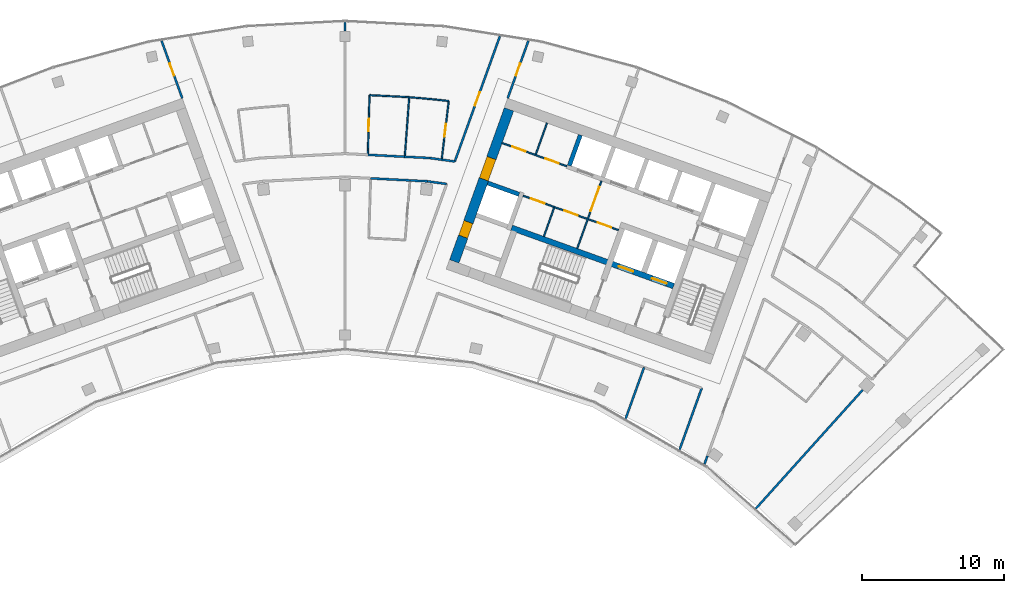
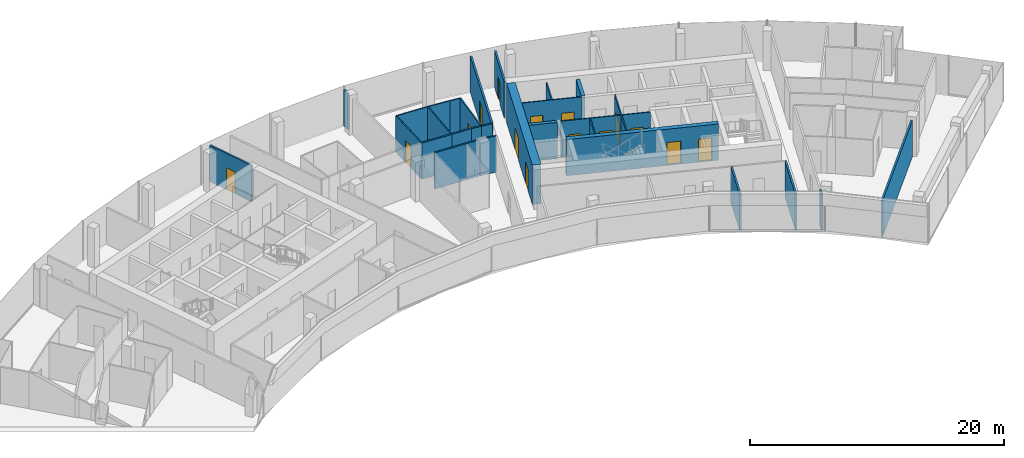
# One storey, part 15 of 18: 30 walls, 15 doors, 15 openings.
"""IFC4 building model written with IfcOpenShell, lengths in metres."""

from ifc_helpers import new_model, si_unit, direction, frame, frame_2d, origin, place, context, subcontext, project, spatial, rectangle, extrude, material, layer, layer_set, type_object, element, fill, save


model = new_model("IFC4")

# Units and contexts
model_context = context("Model", 3, precision=1e-05, world=origin(), true_north=direction((0.0, 1.0)))
body_context = subcontext(model_context, "Body", "Model", "MODEL_VIEW")
ifc_project = project(units=[si_unit("LENGTHUNIT", "METRE"), si_unit("AREAUNIT", "SQUARE_METRE"), si_unit("VOLUMEUNIT", "CUBIC_METRE"), si_unit("PLANEANGLEUNIT", "RADIAN"), si_unit("MASSUNIT", "GRAM", prefix="KILO")], contexts=[model_context])

# Site, building, storey
site_placement = place(None, origin())
site = spatial("IfcSite", under=ifc_project, at=site_placement, CompositionType="ELEMENT")
building_placement = place(site_placement, origin())
building = spatial("IfcBuilding", under=site, at=building_placement, Name="Stone Belt Terrace Tower", CompositionType="ELEMENT")
storey_placement = place(building_placement, frame((0.0, 0.0, 277.0)))
storey = spatial("IfcBuildingStorey", under=building, at=storey_placement, Name="L67", CompositionType="ELEMENT", Elevation=277.0)

# Wall, openings, doors
ifc_material_1 = material(Name="Plasterboard partition")
ifc_layer_1 = layer(ifc_material_1, 0.10009765625)
ifc_layer_set_1 = layer_set([ifc_layer_1], Name="Core partition 100")
wall_type_1 = type_object("IfcWallType", Name="Core partition 100", PredefinedType="PARTITIONING", material=ifc_layer_set_1)
wall_1_placement = place(storey_placement, frame((19.29052734375, 51.829833984375, 0.0), z_axis=(0.0, 0.0, 1.0), x_axis=(-0.94092179465, 0.338623945331, 0.0)))
wall_1 = element("IfcWall", 1, at=wall_1_placement, inside=storey, type_object=wall_type_1, Name="Core B wall", PredefinedType="PARTITIONING", context=body_context, shape_type="SweptSolid", body=[
    extrude(rectangle(XDim=7.14990234375, YDim=0.10009765625, at=frame_2d((3.574951171875, 0.0))), origin(), (0.0, 0.0, 1.0), 3.47998046875),
])
opening_1_placement = place(wall_1_placement, frame((0.550048828125, 0.0, 0.0)))
opening_1 = element("IfcOpeningElement", 2, at=opening_1_placement, cuts=wall_1, Name="Opening L67-C19", PredefinedType="OPENING", context=body_context, shape_type="SweptSolid", body=[
    extrude(rectangle(XDim=1.0, YDim=2.10009765625, at=frame_2d((0.5, 1.050048828125))), frame((0.0, 0.06005859375, 0.0), z_axis=(0.0, -1.0, 0.0), x_axis=(1.0, 0.0, 0.0)), (0.0, 0.0, 1.0), 0.1201171875),
])
opening_2_placement = place(wall_1_placement, frame((3.050048828125, 0.0, 0.0)))
opening_2 = element("IfcOpeningElement", 3, at=opening_2_placement, cuts=wall_1, Name="Opening L67-C20", PredefinedType="OPENING", context=body_context, shape_type="SweptSolid", body=[
    extrude(rectangle(XDim=1.0, YDim=2.10009765625, at=frame_2d((0.5, 1.050048828125))), frame((0.0, 0.06005859375, 0.0), z_axis=(0.0, -1.0, 0.0), x_axis=(1.0, 0.0, 0.0)), (0.0, 0.0, 1.0), 0.1201171875),
])
opening_3_placement = place(wall_1_placement, frame((5.550048828125, 0.0, 0.0)))
opening_3 = element("IfcOpeningElement", 4, at=opening_3_placement, cuts=wall_1, Name="Opening L67-C21", PredefinedType="OPENING", context=body_context, shape_type="SweptSolid", body=[
    extrude(rectangle(XDim=1.0, YDim=2.10009765625, at=frame_2d((0.5, 1.050048828125))), frame((0.0, 0.06005859375, 0.0), z_axis=(0.0, -1.0, 0.0), x_axis=(1.0, 0.0, 0.0)), (0.0, 0.0, 1.0), 0.1201171875),
])
ifc_material_2 = material(Name="Timber door leaf", Category="wood")
door_type_1 = type_object("IfcDoorType", Name="Core room door 1000", OperationType="SINGLE_SWING_LEFT", PredefinedType="DOOR", material=ifc_material_2)
door_1_placement = place(opening_1_placement, origin())
door_1 = element("IfcDoor", 5, at=door_1_placement, inside=storey, type_object=door_type_1, Name="Door to Electrical room core B", OperationType="SINGLE_SWING_LEFT", OverallHeight=2.10009765625, OverallWidth=1.0, PredefinedType="DOOR", context=body_context, shape_type="SweptSolid", body=[
    extrude(rectangle(XDim=1.0, YDim=2.10009765625, at=frame_2d((0.5, 1.050048828125))), frame((0.0, 0.02490234375, 0.0), z_axis=(0.0, -1.0, 0.0), x_axis=(1.0, 0.0, 0.0)), (0.0, 0.0, 1.0), 0.050048828125),
])
fill(opening_1, door_1)
door_2_placement = place(opening_2_placement, origin())
door_2 = element("IfcDoor", 6, at=door_2_placement, inside=storey, type_object=door_type_1, Name="Door to Ventilation plant room core B", OperationType="SINGLE_SWING_RIGHT", OverallHeight=2.10009765625, OverallWidth=1.0, PredefinedType="DOOR", context=body_context, shape_type="SweptSolid", body=[
    extrude(rectangle(XDim=1.0, YDim=2.10009765625, at=frame_2d((0.5, 1.050048828125))), frame((0.0, 0.02490234375, 0.0), z_axis=(0.0, -1.0, 0.0), x_axis=(1.0, 0.0, 0.0)), (0.0, 0.0, 1.0), 0.050048828125),
])
fill(opening_2, door_2)
door_3_placement = place(opening_3_placement, origin())
door_3 = element("IfcDoor", 7, at=door_3_placement, inside=storey, type_object=door_type_1, Name="Door to Services store core B", OperationType="SINGLE_SWING_LEFT", OverallHeight=2.10009765625, OverallWidth=1.0, PredefinedType="DOOR", context=body_context, shape_type="SweptSolid", body=[
    extrude(rectangle(XDim=1.0, YDim=2.10009765625, at=frame_2d((0.5, 1.050048828125))), frame((0.0, 0.02490234375, 0.0), z_axis=(0.0, -1.0, 0.0), x_axis=(1.0, 0.0, 0.0)), (0.0, 0.0, 1.0), 0.050048828125),
])
fill(opening_3, door_3)

# Wall, opening, door
wall_2_placement = place(storey_placement, frame((16.38134765625, 50.53857421875, 0.0), z_axis=(0.0, 0.0, 1.0), x_axis=(0.33860476744, 0.940928696271, 0.0)))
wall_2 = element("IfcWall", 8, at=wall_2_placement, inside=storey, type_object=wall_type_1, Name="Core B wall", PredefinedType="PARTITIONING", context=body_context, shape_type="SweptSolid", body=[
    extrude(rectangle(XDim=5.050048828125, YDim=0.10009765625, at=frame_2d((2.52490234375, 0.0))), origin(), (0.0, 0.0, 1.0), 3.47998046875),
])
opening_4_placement = place(wall_2_placement, frame((2.800048828125, 0.0, 0.0)))
opening_4 = element("IfcOpeningElement", 9, at=opening_4_placement, cuts=wall_2, Name="Opening L67-C24", PredefinedType="OPENING", context=body_context, shape_type="SweptSolid", body=[
    extrude(rectangle(XDim=1.800048828125, YDim=2.10009765625, at=frame_2d((0.89990234375, 1.050048828125))), frame((0.0, 0.06005859375, 0.0), z_axis=(0.0, -1.0, 0.0), x_axis=(1.0, 0.0, 0.0)), (0.0, 0.0, 1.0), 0.1201171875),
])
ifc_material_3 = material(Name="Glazed aluminium door leaf", Category="aluminium")
door_type_2 = type_object("IfcDoorType", Name="Lift lobby entrance door 1800", OperationType="DOUBLE_DOOR_SINGLE_SWING", PredefinedType="DOOR", material=ifc_material_3)
door_4_placement = place(opening_4_placement, origin())
door_4 = element("IfcDoor", 10, at=door_4_placement, inside=storey, type_object=door_type_2, Name="Lift lobby double door core B", OperationType="DOUBLE_DOOR_SINGLE_SWING", OverallHeight=2.10009765625, OverallWidth=1.800048828125, PredefinedType="DOOR", context=body_context, shape_type="SweptSolid", body=[
    extrude(rectangle(XDim=1.800048828125, YDim=2.10009765625, at=frame_2d((0.89990234375, 1.050048828125))), frame((0.0, 0.02490234375, 0.0), z_axis=(0.0, -1.0, 0.0), x_axis=(1.0, 0.0, 0.0)), (0.0, 0.0, 1.0), 0.050048828125),
])
fill(opening_4, door_4)

# Wall
wall_3_placement = place(storey_placement, frame((14.029052734375, 51.38525390625, 0.0), z_axis=(0.0, 0.0, 1.0), x_axis=(0.338622960269, 0.940922149159, 0.0)))
element("IfcWall", 11, at=wall_3_placement, inside=storey, type_object=wall_type_1, Name="Core B wall", PredefinedType="PARTITIONING", context=body_context, shape_type="SweptSolid", body=[
    extrude(rectangle(XDim=2.14990234375, YDim=0.10009765625, at=frame_2d((1.074951171875, 0.0))), origin(), (0.0, 0.0, 1.0), 3.47998046875),
])

# Wall, openings, doors
wall_4_placement = place(storey_placement, frame((15.648681640625, 56.32861328125, 0.0), z_axis=(0.0, 0.0, 1.0), x_axis=(-0.940905377977, 0.338669558262, 0.0)))
wall_4 = element("IfcWall", 12, at=wall_4_placement, inside=storey, type_object=wall_type_1, Name="Core B wall", PredefinedType="PARTITIONING", context=body_context, shape_type="SweptSolid", body=[
    extrude(rectangle(XDim=4.85009765625, YDim=0.10009765625, at=frame_2d((2.425048828125, 0.0))), origin(), (0.0, 0.0, 1.0), 3.47998046875),
])
opening_5_placement = place(wall_4_placement, frame((0.60009765625, 0.0, 0.0)))
opening_5 = element("IfcOpeningElement", 13, at=opening_5_placement, cuts=wall_4, Name="Opening L67-C17", PredefinedType="OPENING", context=body_context, shape_type="SweptSolid", body=[
    extrude(rectangle(XDim=1.0, YDim=2.10009765625, at=frame_2d((0.5, 1.050048828125))), frame((0.0, 0.06005859375, 0.0), z_axis=(0.0, -1.0, 0.0), x_axis=(1.0, 0.0, 0.0)), (0.0, 0.0, 1.0), 0.1201171875),
])
opening_6_placement = place(wall_4_placement, frame((3.10009765625, 0.0, 0.0)))
opening_6 = element("IfcOpeningElement", 14, at=opening_6_placement, cuts=wall_4, Name="Opening L67-C18", PredefinedType="OPENING", context=body_context, shape_type="SweptSolid", body=[
    extrude(rectangle(XDim=1.0, YDim=2.10009765625, at=frame_2d((0.5, 1.050048828125))), frame((0.0, 0.06005859375, 0.0), z_axis=(0.0, -1.0, 0.0), x_axis=(1.0, 0.0, 0.0)), (0.0, 0.0, 1.0), 0.1201171875),
])
door_5_placement = place(opening_5_placement, origin())
door_5 = element("IfcDoor", 15, at=door_5_placement, inside=storey, type_object=door_type_1, Name="Door to Server room core B", OperationType="SINGLE_SWING_LEFT", OverallHeight=2.10009765625, OverallWidth=1.0, PredefinedType="DOOR", context=body_context, shape_type="SweptSolid", body=[
    extrude(rectangle(XDim=1.0, YDim=2.10009765625, at=frame_2d((0.5, 1.050048828125))), frame((0.0, 0.02490234375, 0.0), z_axis=(0.0, -1.0, 0.0), x_axis=(1.0, 0.0, 0.0)), (0.0, 0.0, 1.0), 0.050048828125),
])
fill(opening_5, door_5)
door_6_placement = place(opening_6_placement, origin())
door_6 = element("IfcDoor", 16, at=door_6_placement, inside=storey, type_object=door_type_1, Name="Door to Plant room core B", OperationType="SINGLE_SWING_RIGHT", OverallHeight=2.10009765625, OverallWidth=1.0, PredefinedType="DOOR", context=body_context, shape_type="SweptSolid", body=[
    extrude(rectangle(XDim=1.0, YDim=2.10009765625, at=frame_2d((0.5, 1.050048828125))), frame((0.0, 0.02490234375, 0.0), z_axis=(0.0, -1.0, 0.0), x_axis=(1.0, 0.0, 0.0)), (0.0, 0.0, 1.0), 0.050048828125),
])
fill(opening_6, door_6)

# Wall
wall_5_placement = place(storey_placement, frame((13.45458984375, 57.171630859375, 0.0), z_axis=(0.0, 0.0, 1.0), x_axis=(0.338579668317, 0.940937728121, 0.0)))
element("IfcWall", 17, at=wall_5_placement, inside=storey, type_object=wall_type_1, Name="Core B wall", PredefinedType="PARTITIONING", context=body_context, shape_type="SweptSolid", body=[
    extrude(rectangle(XDim=2.35009765625, YDim=0.10009765625, at=frame_2d((1.175048828125, 0.0))), origin(), (0.0, 0.0, 1.0), 3.47998046875),
])

# Wall, openings, doors
ifc_material_4 = material(Name="Concrete B60", Category="concrete")
ifc_layer_2 = layer(ifc_material_4, 0.699951171875)
ifc_layer_set_2 = layer_set([ifc_layer_2], Name="Core wall 700 B60")
wall_type_2 = type_object("IfcWallType", Name="Core wall 700 B60", PredefinedType="SHEAR", material=ifc_layer_set_2)
wall_6_placement = place(storey_placement, frame((7.70849609375, 49.621337890625, 0.0), z_axis=(0.0, 0.0, 1.0), x_axis=(0.338606471282, 0.940928083121, 0.0)))
wall_6 = element("IfcWall", 18, at=wall_6_placement, inside=storey, type_object=wall_type_2, Name="Core B wall end_a L67", PredefinedType="SHEAR", context=body_context, shape_type="SweptSolid", body=[
    extrude(rectangle(XDim=11.39990234375, YDim=0.699951171875, at=frame_2d((5.699951171875, 0.0))), origin(), (0.0, 0.0, 1.0), 3.800048828125),
])
opening_7_placement = place(wall_6_placement, frame((6.14990234375, 0.0, 0.0)))
opening_7 = element("IfcOpeningElement", 19, at=opening_7_placement, cuts=wall_6, Name="Opening L67-C25", PredefinedType="OPENING", context=body_context, shape_type="SweptSolid", body=[
    extrude(rectangle(XDim=1.60009765625, YDim=2.10009765625, at=frame_2d((0.800048828125, 1.050048828125))), frame((0.0, 0.35986328125, 0.0), z_axis=(0.0, -1.0, 0.0), x_axis=(1.0, 0.0, 0.0)), (0.0, 0.0, 1.0), 0.719970703125),
])
opening_8_placement = place(wall_6_placement, frame((1.85009765625, 0.0, 0.0)))
opening_8 = element("IfcOpeningElement", 20, at=opening_8_placement, cuts=wall_6, Name="Opening L67-C31", PredefinedType="OPENING", context=body_context, shape_type="SweptSolid", body=[
    extrude(rectangle(XDim=1.10009765625, YDim=2.10009765625, at=frame_2d((0.550048828125, 1.050048828125))), frame((0.0, 0.35986328125, 0.0), z_axis=(0.0, -1.0, 0.0), x_axis=(1.0, 0.0, 0.0)), (0.0, 0.0, 1.0), 0.719970703125),
])
door_type_3 = type_object("IfcDoorType", Name="Core room door 1100", OperationType="SINGLE_SWING_LEFT", PredefinedType="DOOR", material=ifc_material_2)
door_7_placement = place(opening_8_placement, origin())
door_7 = element("IfcDoor", 21, at=door_7_placement, inside=storey, type_object=door_type_3, Name="Door to Accessible WC core B", OperationType="SINGLE_SWING_RIGHT", OverallHeight=2.10009765625, OverallWidth=1.10009765625, PredefinedType="DOOR", context=body_context, shape_type="SweptSolid", body=[
    extrude(rectangle(XDim=1.10009765625, YDim=2.10009765625, at=frame_2d((0.550048828125, 1.050048828125))), frame((0.0, 0.330078125, 0.0), z_axis=(0.0, -1.0, 0.0), x_axis=(1.0, 0.0, 0.0)), (0.0, 0.0, 1.0), 0.659912109375),
])
fill(opening_8, door_7)
door_type_4 = type_object("IfcDoorType", Name="Lift lobby entrance door 1600", OperationType="DOUBLE_DOOR_SINGLE_SWING", PredefinedType="DOOR", material=ifc_material_3)
door_8_placement = place(opening_7_placement, origin())
door_8 = element("IfcDoor", 22, at=door_8_placement, inside=storey, type_object=door_type_4, Name="Lift lobby entrance door core B", OperationType="DOUBLE_DOOR_SINGLE_SWING", OverallHeight=2.10009765625, OverallWidth=1.60009765625, PredefinedType="DOOR", context=body_context, shape_type="SweptSolid", body=[
    extrude(rectangle(XDim=1.60009765625, YDim=2.10009765625, at=frame_2d((0.800048828125, 1.050048828125))), frame((0.0, 0.330078125, 0.0), z_axis=(0.0, -1.0, 0.0), x_axis=(1.0, 0.0, 0.0)), (0.0, 0.0, 1.0), 0.659912109375),
])
fill(opening_7, door_8)

# Walls
ifc_material_5 = material(Name="Concrete B80", Category="concrete")
ifc_layer_3 = layer(ifc_material_5, 0.300048828125)
ifc_layer_set_3 = layer_set([ifc_layer_3], Name="Lift shaft wall 300")
wall_type_3 = type_object("IfcWallType", Name="Lift shaft wall 300", PredefinedType="SHEAR", material=ifc_layer_set_3)
wall_7_placement = place(storey_placement, frame((15.82373046875, 56.3720703125, 0.0), z_axis=(0.0, 0.0, 1.0), x_axis=(0.338621735342, 0.94092258999, 0.0)))
element("IfcWall", 23, at=wall_7_placement, inside=storey, type_object=wall_type_3, Name="Core B wall", PredefinedType="SHEAR", context=body_context, shape_type="SweptSolid", body=[
    extrude(rectangle(XDim=2.300048828125, YDim=0.300048828125, at=frame_2d((1.14990234375, 0.0))), origin(), (0.0, 0.0, 1.0), 3.47998046875),
])
wall_8_placement = place(storey_placement, frame((12.280517578125, 54.3525390625, 0.0), z_axis=(0.0, 0.0, 1.0), x_axis=(-0.940925816745, 0.338612769078, 0.0)))
element("IfcWall", 24, at=wall_8_placement, inside=storey, type_object=wall_type_3, Name="Core B wall", PredefinedType="SHEAR", context=body_context, shape_type="SweptSolid", body=[
    extrude(rectangle(XDim=2.349853515625, YDim=0.300048828125, at=frame_2d((1.1748046875, 0.0))), origin(), (0.0, 0.0, 1.0), 3.47998046875),
])
ifc_material_6 = material(Name="Gypsum board partition")
ifc_layer_4 = layer(ifc_material_6, 0.10009765625)
ifc_layer_set_4 = layer_set([ifc_layer_4], Name="PARTITION 100")
wall_type_4 = type_object("IfcWallType", Name="PARTITION 100", PredefinedType="PARTITIONING", material=ifc_layer_set_4)
wall_9_placement = place(storey_placement, frame((4.530029296875, 61.2060546875, 0.0), z_axis=(0.0, 0.0, 1.0), x_axis=(-0.998696331393, 0.05104544703, 0.0)))
element("IfcWall", 25, at=wall_9_placement, inside=storey, type_object=wall_type_4, Name="L67/wall/i112", PredefinedType="PARTITIONING", context=body_context, shape_type="SweptSolid", body=[
    extrude(rectangle(XDim=2.802734375, YDim=0.10009765625, at=frame_2d((1.4013671875, 0.0))), origin(), (0.0, 0.0, 1.0), 3.47998046875),
])

# Wall, opening, door
wall_10_placement = place(storey_placement, frame((1.73095703125, 61.34912109375, 0.0), z_axis=(0.0, 0.0, 1.0), x_axis=(-0.028011746804, -0.999607594029, 0.0)))
wall_10 = element("IfcWall", 26, at=wall_10_placement, inside=storey, type_object=wall_type_4, Name="L67/wall/i113", PredefinedType="PARTITIONING", context=body_context, shape_type="SweptSolid", body=[
    extrude(rectangle(XDim=4.209716796875, YDim=0.10009765625, at=frame_2d((2.10498046875, 0.0))), origin(), (0.0, 0.0, 1.0), 3.47998046875),
])
opening_9_placement = place(wall_10_placement, frame((1.65478515625, 0.0, 0.0)))
opening_9 = element("IfcOpeningElement", 27, at=opening_9_placement, cuts=wall_10, Name="Opening D-E2-32", PredefinedType="OPENING", context=body_context, shape_type="SweptSolid", body=[
    extrude(rectangle(XDim=0.89990234375, YDim=2.10009765625, at=frame_2d((0.449951171875, 1.050048828125))), frame((0.0, 0.06005859375, 0.0), z_axis=(0.0, -1.0, 0.0), x_axis=(1.0, 0.0, 0.0)), (0.0, 0.0, 1.0), 0.1201171875),
])
door_type_5 = type_object("IfcDoorType", Name="OFFICE DOOR 900 X 2100", OperationType="NOTDEFINED", PredefinedType="DOOR", material=ifc_material_2)
door_9_placement = place(opening_9_placement, origin())
door_9 = element("IfcDoor", 28, at=door_9_placement, inside=storey, type_object=door_type_5, Name="L67/door/i32", OperationType="SINGLE_SWING_RIGHT", OverallHeight=2.10009765625, OverallWidth=0.89990234375, PredefinedType="DOOR", context=body_context, shape_type="SweptSolid", body=[
    extrude(rectangle(XDim=0.89990234375, YDim=2.10009765625, at=frame_2d((0.449951171875, 1.050048828125))), frame((0.0, 0.02490234375, 0.0), z_axis=(0.0, -1.0, 0.0), x_axis=(1.0, 0.0, 0.0)), (0.0, 0.0, 1.0), 0.050048828125),
])
fill(opening_9, door_9)

wall_11_placement = place(storey_placement, frame((6.822021484375, 56.797119140625, 0.0), z_axis=(0.0, 0.0, 1.0), x_axis=(0.119267645101, 0.992862139893, 0.0)))
wall_11 = element("IfcWall", 29, at=wall_11_placement, inside=storey, type_object=wall_type_4, Name="L67/wall/i114", PredefinedType="PARTITIONING", context=body_context, shape_type="SweptSolid", body=[
    extrude(rectangle(XDim=4.167724609375, YDim=0.10009765625, at=frame_2d((2.083984375, 0.0))), origin(), (0.0, 0.0, 1.0), 3.47998046875),
])
opening_10_placement = place(wall_11_placement, frame((1.6337890625, 0.0, 0.0)))
opening_10 = element("IfcOpeningElement", 30, at=opening_10_placement, cuts=wall_11, Name="Opening D-E2-33", PredefinedType="OPENING", context=body_context, shape_type="SweptSolid", body=[
    extrude(rectangle(XDim=0.89990234375, YDim=2.10009765625, at=frame_2d((0.449951171875, 1.050048828125))), frame((0.0, 0.06005859375, 0.0), z_axis=(0.0, -1.0, 0.0), x_axis=(1.0, 0.0, 0.0)), (0.0, 0.0, 1.0), 0.1201171875),
])
door_10_placement = place(opening_10_placement, origin())
door_10 = element("IfcDoor", 31, at=door_10_placement, inside=storey, type_object=door_type_5, Name="L67/door/i33", OperationType="SINGLE_SWING_RIGHT", OverallHeight=2.10009765625, OverallWidth=0.89990234375, PredefinedType="DOOR", context=body_context, shape_type="SweptSolid", body=[
    extrude(rectangle(XDim=0.89990234375, YDim=2.10009765625, at=frame_2d((0.449951171875, 1.050048828125))), frame((0.0, 0.02490234375, 0.0), z_axis=(0.0, -1.0, 0.0), x_axis=(1.0, 0.0, 0.0)), (0.0, 0.0, 1.0), 0.050048828125),
])
fill(opening_10, door_10)

# Walls
wall_12_placement = place(storey_placement, frame((7.319091796875, 60.93505859375, 0.0), z_axis=(0.0, 0.0, 1.0), x_axis=(-0.993689136585, 0.112169068078, 0.0)))
element("IfcWall", 32, at=wall_12_placement, inside=storey, type_object=wall_type_4, Name="L67/wall/i115", PredefinedType="PARTITIONING", context=body_context, shape_type="SweptSolid", body=[
    extrude(rectangle(XDim=0.909912109375, YDim=0.10009765625, at=frame_2d((0.455078125, 0.0))), origin(), (0.0, 0.0, 1.0), 3.47998046875),
])
wall_13_placement = place(storey_placement, frame((6.4150390625, 61.037109375, 0.0), z_axis=(0.0, 0.0, 1.0), x_axis=(-0.996007653446, 0.089267879314, 0.0)))
element("IfcWall", 33, at=wall_13_placement, inside=storey, type_object=wall_type_4, Name="L67/wall/i116", PredefinedType="PARTITIONING", context=body_context, shape_type="SweptSolid", body=[
    extrude(rectangle(XDim=1.892578125, YDim=0.10009765625, at=frame_2d((0.9462890625, 0.0))), origin(), (0.0, 0.0, 1.0), 3.47998046875),
])
wall_14_placement = place(storey_placement, frame((4.530029296875, 61.2060546875, 0.0), z_axis=(0.0, 0.0, 1.0), x_axis=(-0.073816195319, -0.997271863289, 0.0)))
element("IfcWall", 34, at=wall_14_placement, inside=storey, type_object=wall_type_4, Name="L67/wall/i117", PredefinedType="PARTITIONING", context=body_context, shape_type="SweptSolid", body=[
    extrude(rectangle(XDim=4.213623046875, YDim=0.10009765625, at=frame_2d((2.10693359375, 0.0))), origin(), (0.0, 0.0, 1.0), 3.47998046875),
])

# Wall, opening, door
ifc_layer_5 = layer(ifc_material_6, 0.14990234375)
ifc_layer_set_5 = layer_set([ifc_layer_5], Name="PARTITION 150 EI 60")
wall_type_5 = type_object("IfcWallType", Name="PARTITION 150 EI 60", PredefinedType="PARTITIONING", material=ifc_layer_set_5)
wall_15_placement = place(storey_placement, frame((-11.47607421875, 61.125, 0.0), z_axis=(0.0, 0.0, 1.0), x_axis=(-0.338707450319, 0.940891738245, 0.0)))
wall_15 = element("IfcWall", 35, at=wall_15_placement, inside=storey, type_object=wall_type_5, Name="L67/wall/i008", PredefinedType="PARTITIONING", context=body_context, shape_type="SweptSolid", body=[
    extrude(rectangle(XDim=4.316162109375, YDim=0.14990234375, at=frame_2d((2.158203125, 0.0))), origin(), (0.0, 0.0, 1.0), 3.47998046875),
])
opening_11_placement = place(wall_15_placement, frame((1.7080078125, 0.0, 0.0)))
opening_11 = element("IfcOpeningElement", 36, at=opening_11_placement, cuts=wall_15, Name="Opening D-E2-05", PredefinedType="OPENING", context=body_context, shape_type="SweptSolid", body=[
    extrude(rectangle(XDim=0.89990234375, YDim=2.10009765625, at=frame_2d((0.449951171875, 1.050048828125))), frame((0.0, 0.0849609375, 0.0), z_axis=(0.0, -1.0, 0.0), x_axis=(1.0, 0.0, 0.0)), (0.0, 0.0, 1.0), 0.169921875),
])
door_11_placement = place(opening_11_placement, origin())
door_11 = element("IfcDoor", 37, at=door_11_placement, inside=storey, type_object=door_type_5, Name="L67/door/i05", OperationType="SINGLE_SWING_RIGHT", OverallHeight=2.10009765625, OverallWidth=0.89990234375, PredefinedType="DOOR", context=body_context, shape_type="SweptSolid", body=[
    extrude(rectangle(XDim=0.89990234375, YDim=2.10009765625, at=frame_2d((0.449951171875, 1.050048828125))), frame((0.0, 0.02490234375, 0.0), z_axis=(0.0, -1.0, 0.0), x_axis=(1.0, 0.0, 0.0)), (0.0, 0.0, 1.0), 0.050048828125),
])
fill(opening_11, door_11)

wall_16_placement = place(storey_placement, frame((12.93798828125, 65.18603515625, 0.0), z_axis=(0.0, 0.0, 1.0), x_axis=(-0.338707450319, -0.940891738245, 0.0)))
wall_16 = element("IfcWall", 38, at=wall_16_placement, inside=storey, type_object=wall_type_5, Name="L67/wall/i019", PredefinedType="PARTITIONING", context=body_context, shape_type="SweptSolid", body=[
    extrude(rectangle(XDim=4.316162109375, YDim=0.14990234375, at=frame_2d((2.158203125, 0.0))), origin(), (0.0, 0.0, 1.0), 3.47998046875),
])
opening_12_placement = place(wall_16_placement, frame((1.7080078125, 0.0, 0.0)))
opening_12 = element("IfcOpeningElement", 39, at=opening_12_placement, cuts=wall_16, Name="Opening D-E2-09", PredefinedType="OPENING", context=body_context, shape_type="SweptSolid", body=[
    extrude(rectangle(XDim=0.89990234375, YDim=2.10009765625, at=frame_2d((0.449951171875, 1.050048828125))), frame((0.0, 0.0849609375, 0.0), z_axis=(0.0, -1.0, 0.0), x_axis=(1.0, 0.0, 0.0)), (0.0, 0.0, 1.0), 0.169921875),
])
door_12_placement = place(opening_12_placement, origin())
door_12 = element("IfcDoor", 40, at=door_12_placement, inside=storey, type_object=door_type_5, Name="L67/door/i09", OperationType="SINGLE_SWING_RIGHT", OverallHeight=2.10009765625, OverallWidth=0.89990234375, PredefinedType="DOOR", context=body_context, shape_type="SweptSolid", body=[
    extrude(rectangle(XDim=0.89990234375, YDim=2.10009765625, at=frame_2d((0.449951171875, 1.050048828125))), frame((0.0, 0.02490234375, 0.0), z_axis=(0.0, -1.0, 0.0), x_axis=(1.0, 0.0, 0.0)), (0.0, 0.0, 1.0), 0.050048828125),
])
fill(opening_12, door_12)

wall_17_placement = place(storey_placement, frame((7.7451171875, 56.6640625, 0.0), z_axis=(0.0, 0.0, 1.0), x_axis=(0.338644933311, 0.94091424112, 0.0)))
wall_17 = element("IfcWall", 41, at=wall_17_placement, inside=storey, type_object=wall_type_5, Name="L67/wall/i021", PredefinedType="PARTITIONING", context=body_context, shape_type="SweptSolid", body=[
    extrude(rectangle(XDim=9.395263671875, YDim=0.14990234375, at=frame_2d((4.69775390625, 0.0))), origin(), (0.0, 0.0, 1.0), 3.47998046875),
])
opening_13_placement = place(wall_17_placement, frame((4.19775390625, 0.0, 0.0)))
opening_13 = element("IfcOpeningElement", 42, at=opening_13_placement, cuts=wall_17, Name="Opening D-E2-31", PredefinedType="OPENING", context=body_context, shape_type="SweptSolid", body=[
    extrude(rectangle(XDim=1.0, YDim=2.10009765625, at=frame_2d((0.5, 1.050048828125))), frame((0.0, 0.0849609375, 0.0), z_axis=(0.0, -1.0, 0.0), x_axis=(1.0, 0.0, 0.0)), (0.0, 0.0, 1.0), 0.169921875),
])
ifc_material_7 = material(Name="Timber fire door leaf", Category="wood")
door_type_6 = type_object("IfcDoorType", Name="TENANCY ENTRANCE DOOR 1000 X 2100", OperationType="NOTDEFINED", PredefinedType="DOOR", material=ifc_material_7)
door_13_placement = place(opening_13_placement, origin())
door_13 = element("IfcDoor", 43, at=door_13_placement, inside=storey, type_object=door_type_6, Name="L67/door/i31", OperationType="SINGLE_SWING_RIGHT", OverallHeight=2.10009765625, OverallWidth=1.0, PredefinedType="DOOR", context=body_context, shape_type="SweptSolid", body=[
    extrude(rectangle(XDim=1.0, YDim=2.10009765625, at=frame_2d((0.5, 1.050048828125))), frame((0.0, 0.02490234375, 0.0), z_axis=(0.0, -1.0, 0.0), x_axis=(1.0, 0.0, 0.0)), (0.0, 0.0, 1.0), 0.050048828125),
])
fill(opening_13, door_13)

# Walls
wall_18_placement = place(storey_placement, frame((23.5966796875, 36.330810546875, 0.0), z_axis=(0.0, 0.0, 1.0), x_axis=(0.338609342271, 0.94092704995, 0.0)))
element("IfcWall", 44, at=wall_18_placement, inside=storey, type_object=wall_type_5, Name="L67/wall/i022", PredefinedType="PARTITIONING", context=body_context, shape_type="SweptSolid", body=[
    extrude(rectangle(XDim=4.6318359375, YDim=0.14990234375, at=frame_2d((2.31591796875, 0.0))), origin(), (0.0, 0.0, 1.0), 3.47998046875),
])
wall_19_placement = place(storey_placement, frame((25.566162109375, 35.899658203125, 0.0), z_axis=(0.0, 0.0, 1.0), x_axis=(-0.338633814852, -0.940918242696, 0.0)))
element("IfcWall", 45, at=wall_19_placement, inside=storey, type_object=wall_type_5, Name="L67/wall/i025", PredefinedType="PARTITIONING", context=body_context, shape_type="SweptSolid", body=[
    extrude(rectangle(XDim=0.605712890625, YDim=0.14990234375, at=frame_2d((0.302734375, 0.0))), origin(), (0.0, 0.0, 1.0), 3.47998046875),
])
wall_20_placement = place(storey_placement, frame((21.097900390625, 42.14501953125, 0.0), z_axis=(0.0, 0.0, 1.0), x_axis=(-0.338586871173, -0.940935136271, 0.0)))
element("IfcWall", 46, at=wall_20_placement, inside=storey, type_object=wall_type_5, Name="L67/wall/i034", PredefinedType="PARTITIONING", context=body_context, shape_type="SweptSolid", body=[
    extrude(rectangle(XDim=3.846923828125, YDim=0.14990234375, at=frame_2d((1.92333984375, 0.0))), origin(), (0.0, 0.0, 1.0), 3.47998046875),
])
wall_21_placement = place(storey_placement, frame((28.97802734375, 32.182373046875, 0.0), z_axis=(0.0, 0.0, 1.0), x_axis=(0.669127577115, 0.74314755301, 0.0)))
element("IfcWall", 47, at=wall_21_placement, inside=storey, type_object=wall_type_5, Name="L67/wall/i061", PredefinedType="PARTITIONING", context=body_context, shape_type="SweptSolid", body=[
    extrude(rectangle(XDim=11.263671875, YDim=0.14990234375, at=frame_2d((5.6318359375, 0.0))), origin(), (0.0, 0.0, 1.0), 3.47998046875),
])
wall_22_placement = place(storey_placement, frame((7.176025390625, 55.0830078125, 0.0), z_axis=(0.0, 0.0, 1.0), x_axis=(-0.990675556397, 0.136242217972, 0.0)))
element("IfcWall", 48, at=wall_22_placement, inside=storey, type_object=wall_type_5, Name="L67/wall/i089", PredefinedType="PARTITIONING", context=body_context, shape_type="SweptSolid", body=[
    extrude(rectangle(XDim=1.3798828125, YDim=0.14990234375, at=frame_2d((0.68994140625, 0.0))), origin(), (0.0, 0.0, 1.0), 3.47998046875),
])
wall_23_placement = place(storey_placement, frame((5.80908203125, 55.27099609375, 0.0), z_axis=(0.0, 0.0, 1.0), x_axis=(-0.998648347827, 0.051975738405, 0.0)))
element("IfcWall", 49, at=wall_23_placement, inside=storey, type_object=wall_type_5, Name="L67/wall/i090", PredefinedType="PARTITIONING", context=body_context, shape_type="SweptSolid", body=[
    extrude(rectangle(XDim=1.230712890625, YDim=0.14990234375, at=frame_2d((0.615234375, 0.0))), origin(), (0.0, 0.0, 1.0), 3.47998046875),
])
wall_24_placement = place(storey_placement, frame((4.592041015625, 55.3349609375, 0.0), z_axis=(0.0, 0.0, 1.0), x_axis=(-0.998630847524, 0.052310901088, 0.0)))
element("IfcWall", 50, at=wall_24_placement, inside=storey, type_object=wall_type_5, Name="L67/wall/i091", PredefinedType="PARTITIONING", context=body_context, shape_type="SweptSolid", body=[
    extrude(rectangle(XDim=2.791015625, YDim=0.14990234375, at=frame_2d((1.3955078125, 0.0))), origin(), (0.0, 0.0, 1.0), 3.47998046875),
])
wall_25_placement = place(storey_placement, frame((6.81591796875, 56.798095703125, 0.0), z_axis=(0.0, 0.0, 1.0), x_axis=(0.990658674146, -0.13636491975, 0.0)))
element("IfcWall", 51, at=wall_25_placement, inside=storey, type_object=wall_type_5, Name="L67/wall/i097", PredefinedType="PARTITIONING", context=body_context, shape_type="SweptSolid", body=[
    extrude(rectangle(XDim=0.93994140625, YDim=0.14990234375, at=frame_2d((0.469970703125, 0.0))), origin(), (0.0, 0.0, 1.0), 3.47998046875),
])
wall_26_placement = place(storey_placement, frame((1.60693359375, 57.14111328125, 0.0), z_axis=(0.0, 0.0, 1.0), x_axis=(0.998629637079, -0.052334003734, 0.0)))
element("IfcWall", 52, at=wall_26_placement, inside=storey, type_object=wall_type_5, Name="L67/wall/i098", PredefinedType="PARTITIONING", context=body_context, shape_type="SweptSolid", body=[
    extrude(rectangle(XDim=2.621826171875, YDim=0.14990234375, at=frame_2d((1.31103515625, 0.0))), origin(), (0.0, 0.0, 1.0), 3.47998046875),
])
wall_27_placement = place(storey_placement, frame((4.212890625, 57.0048828125, 0.0), z_axis=(0.0, 0.0, 1.0), x_axis=(0.998627710138, -0.052370760399, 0.0)))
element("IfcWall", 53, at=wall_27_placement, inside=storey, type_object=wall_type_5, Name="L67/wall/i099", PredefinedType="PARTITIONING", context=body_context, shape_type="SweptSolid", body=[
    extrude(rectangle(XDim=1.771484375, YDim=0.14990234375, at=frame_2d((0.8857421875, 0.0))), origin(), (0.0, 0.0, 1.0), 3.47998046875),
])
wall_28_placement = place(storey_placement, frame((5.98193359375, 56.912109375, 0.0), z_axis=(0.0, 0.0, 1.0), x_axis=(0.990695712671, -0.13609557265, 0.0)))
element("IfcWall", 54, at=wall_28_placement, inside=storey, type_object=wall_type_5, Name="L67/wall/i100", PredefinedType="PARTITIONING", context=body_context, shape_type="SweptSolid", body=[
    extrude(rectangle(XDim=0.85400390625, YDim=0.14990234375, at=frame_2d((0.427001953125, 0.0))), origin(), (0.0, 0.0, 1.0), 3.47998046875),
])
wall_29_placement = place(storey_placement, frame((0.0, 66.5, 0.0), z_axis=(0.0, 0.0, 1.0), x_axis=(0.0, -1.0, 0.0)))
element("IfcWall", 55, at=wall_29_placement, inside=storey, type_object=wall_type_5, Name="L67/wall/i110", PredefinedType="PARTITIONING", context=body_context, shape_type="SweptSolid", body=[
    extrude(rectangle(XDim=0.631103515625, YDim=0.14990234375, at=frame_2d((0.3154296875, 0.0))), origin(), (0.0, 0.0, 1.0), 3.47998046875),
])

# Wall, openings, doors
ifc_layer_6 = layer(ifc_material_5, 0.39990234375)
ifc_layer_set_6 = layer_set([ifc_layer_6], Name="Stair enclosure wall 400")
wall_type_6 = type_object("IfcWallType", Name="Stair enclosure wall 400", PredefinedType="SHEAR", material=ifc_layer_set_6)
wall_30_placement = place(storey_placement, frame((23.182373046875, 47.87841796875, 0.0), z_axis=(0.0, 0.0, 1.0), x_axis=(-0.940921731919, 0.338624119641, 0.0)))
wall_30 = element("IfcWall", 56, at=wall_30_placement, inside=storey, type_object=wall_type_6, Name="Core B wall", PredefinedType="SHEAR", context=body_context, shape_type="SweptSolid", body=[
    extrude(rectangle(XDim=12.14990234375, YDim=0.39990234375, at=frame_2d((6.074951171875, 0.0))), origin(), (0.0, 0.0, 1.0), 3.47998046875),
])
opening_14_placement = place(wall_30_placement, frame((0.52001953125, 0.0, 0.0)))
opening_14 = element("IfcOpeningElement", 57, at=opening_14_placement, cuts=wall_30, Name="Opening L67-LD12", PredefinedType="OPENING", context=body_context, shape_type="SweptSolid", body=[
    extrude(rectangle(XDim=1.10009765625, YDim=2.199951171875, at=frame_2d((0.550048828125, 1.10009765625))), frame((0.0, 0.2099609375, 0.0), z_axis=(0.0, -1.0, 0.0), x_axis=(1.0, 0.0, 0.0)), (0.0, 0.0, 1.0), 0.419921875),
])
opening_15_placement = place(wall_30_placement, frame((3.02001953125, 0.0, 0.0)))
opening_15 = element("IfcOpeningElement", 58, at=opening_15_placement, cuts=wall_30, Name="Opening L67-LD13", PredefinedType="OPENING", context=body_context, shape_type="SweptSolid", body=[
    extrude(rectangle(XDim=1.10009765625, YDim=2.199951171875, at=frame_2d((0.550048828125, 1.10009765625))), frame((0.0, 0.2099609375, 0.0), z_axis=(0.0, -1.0, 0.0), x_axis=(1.0, 0.0, 0.0)), (0.0, 0.0, 1.0), 0.419921875),
])
ifc_material_8 = material(Name="Stainless steel door leaf", Category="steel")
door_type_7 = type_object("IfcDoorType", Name="Landing door 1100", OperationType="SLIDING_TO_LEFT", PredefinedType="DOOR", material=ifc_material_8)
door_14_placement = place(opening_14_placement, origin())
door_14 = element("IfcDoor", 59, at=door_14_placement, inside=storey, type_object=door_type_7, Name="Landing door FF1 core B", OperationType="SLIDING_TO_LEFT", OverallHeight=2.199951171875, OverallWidth=1.10009765625, PredefinedType="DOOR", context=body_context, shape_type="SweptSolid", body=[
    extrude(rectangle(XDim=1.10009765625, YDim=2.199951171875, at=frame_2d((0.550048828125, 1.10009765625))), frame((0.0, 0.02490234375, 0.0), z_axis=(0.0, -1.0, 0.0), x_axis=(1.0, 0.0, 0.0)), (0.0, 0.0, 1.0), 0.050048828125),
])
fill(opening_14, door_14)
door_15_placement = place(opening_15_placement, origin())
door_15 = element("IfcDoor", 60, at=door_15_placement, inside=storey, type_object=door_type_7, Name="Landing door FF2 core B", OperationType="SLIDING_TO_LEFT", OverallHeight=2.199951171875, OverallWidth=1.10009765625, PredefinedType="DOOR", context=body_context, shape_type="SweptSolid", body=[
    extrude(rectangle(XDim=1.10009765625, YDim=2.199951171875, at=frame_2d((0.550048828125, 1.10009765625))), frame((0.0, 0.02490234375, 0.0), z_axis=(0.0, -1.0, 0.0), x_axis=(1.0, 0.0, 0.0)), (0.0, 0.0, 1.0), 0.050048828125),
])
fill(opening_15, door_15)

save(model, "model.ifc")
